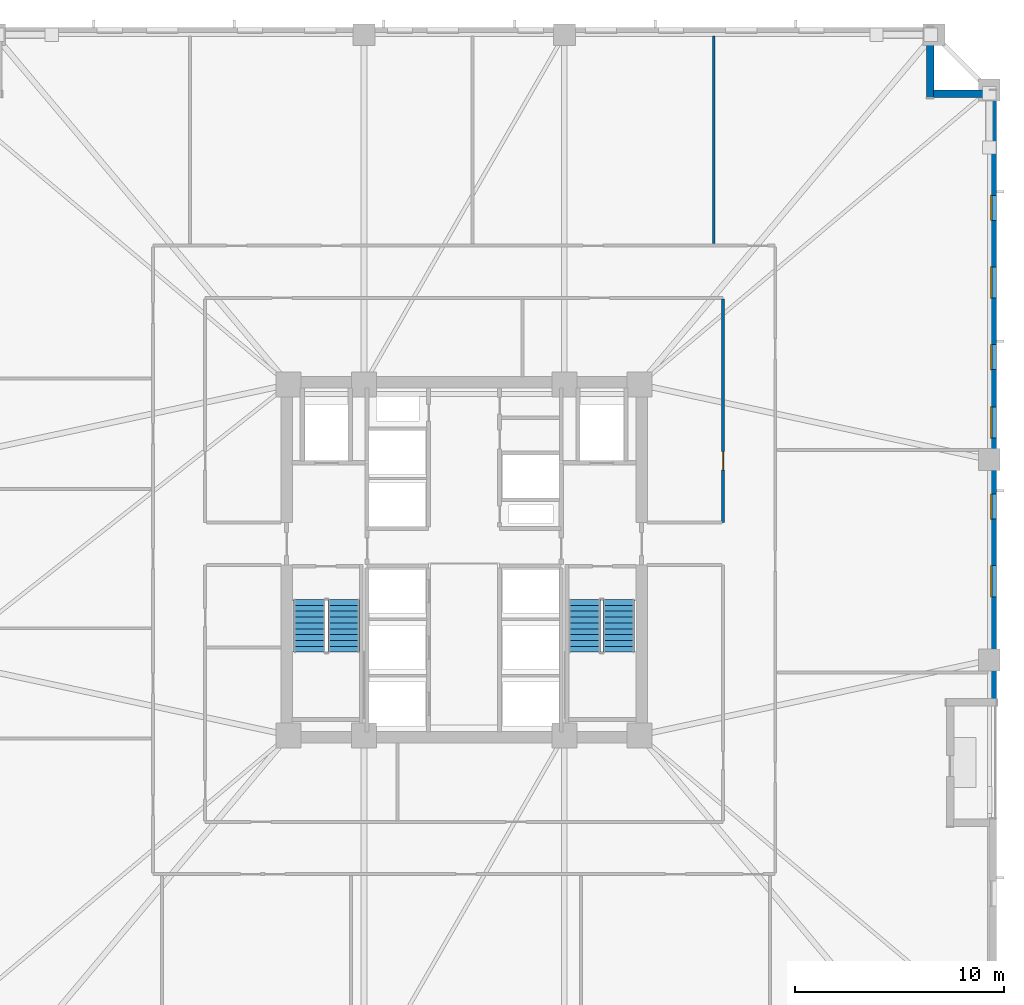
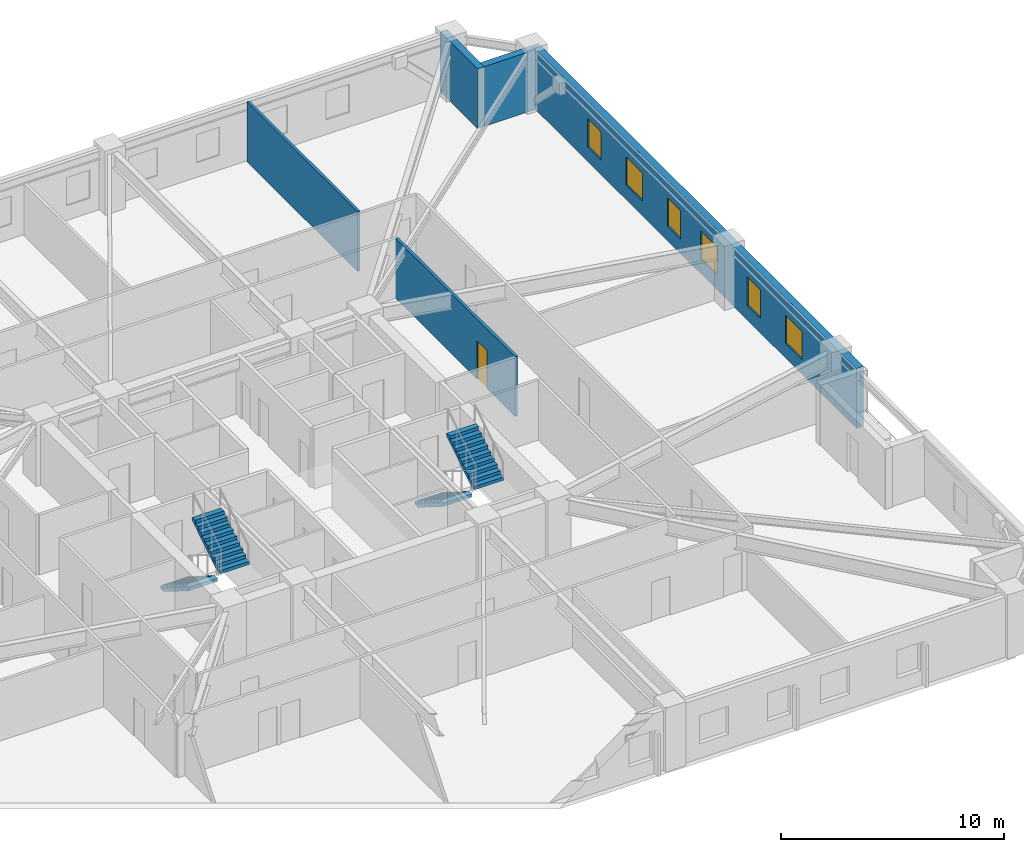
# One storey, part 6 of 11: 6 windows, 5 walls, 4 stair flights, 1 door, 7 openings, 2 elements without a shape of their own.
"""IFC4 building model written with IfcOpenShell, lengths in metres."""

from ifc_helpers import new_model, si_unit, direction, frame, frame_2d, origin, place, context, subcontext, project, spatial, polyline, rectangle, outline, extrude, material, layer, layer_set, type_object, element, fill, aggregate, save


model = new_model("IFC4")

# Units and contexts
model_context = context("Model", 3, precision=1e-05, world=origin(), true_north=direction((0.0, 1.0)))
body_context = subcontext(model_context, "Body", "Model", "MODEL_VIEW")
ifc_project = project(units=[si_unit("LENGTHUNIT", "METRE"), si_unit("AREAUNIT", "SQUARE_METRE"), si_unit("VOLUMEUNIT", "CUBIC_METRE"), si_unit("PLANEANGLEUNIT", "RADIAN"), si_unit("MASSUNIT", "GRAM", prefix="KILO")], contexts=[model_context])

# Site, building, storey
site_placement = place(None, origin())
site = spatial("IfcSite", under=ifc_project, at=site_placement, CompositionType="ELEMENT")
building_placement = place(site_placement, origin())
building = spatial("IfcBuilding", under=site, at=building_placement, Name="Cairnveth Concourse Tower", CompositionType="ELEMENT")
storey_placement = place(building_placement, frame((0.0, 0.0, 55.0)))
storey = spatial("IfcBuildingStorey", under=building, at=storey_placement, Name="L14", CompositionType="ELEMENT", Elevation=55.0)

# Wall, opening, door
ifc_material_1 = material(Name="Gypsum Plasterboard Partition", Category="gypsum")
ifc_layer_1 = layer(ifc_material_1, 0.139892578125)
ifc_layer_set_1 = layer_set([ifc_layer_1], Name="Gypsum Plasterboard Partition")
wall_type_1 = type_object("IfcWallType", Name="GYPSUM STUD PARTITION 140", PredefinedType="PARTITIONING", material=ifc_layer_set_1)
wall_1_placement = place(storey_placement, frame((64.39990234375, 40.800048828125, 0.0), z_axis=(0.0, 0.0, 1.0), x_axis=(0.0, 1.0, 0.0)))
wall_1 = element("IfcWall", 1, at=wall_1_placement, inside=storey, type_object=wall_type_1, Name="Interior Wall IW-L14-049", PredefinedType="PARTITIONING", context=body_context, shape_type="SweptSolid", body=[
    extrude(rectangle(XDim=10.695068359375, YDim=0.139892578125, at=frame_2d((5.34765625, 0.0))), origin(), (0.0, 0.0, 1.0), 3.280029296875),
])
opening_1_placement = place(wall_1_placement, frame((2.5, 0.0, 0.0)))
opening_1 = element("IfcOpeningElement", 2, at=opening_1_placement, cuts=wall_1, Name="Opening ID18", PredefinedType="OPENING", context=body_context, shape_type="SweptSolid", body=[
    extrude(rectangle(XDim=0.8798828125, YDim=2.10009765625, at=frame_2d((0.43994140625, 1.050048828125))), frame((0.0, 0.079833984375, 0.0), z_axis=(0.0, -1.0, 0.0), x_axis=(1.0, 0.0, 0.0)), (0.0, 0.0, 1.0), 0.159912109375),
])
ifc_material_2 = material(Name="Solid Core Hardwood Timber Leaf", Category="wood")
door_type = type_object("IfcDoorType", Name="INTERIOR SINGLE DOOR 880X2100", OperationType="NOTDEFINED", PredefinedType="DOOR", material=ifc_material_2)
door_placement = place(opening_1_placement, origin())
door = element("IfcDoor", 3, at=door_placement, inside=storey, type_object=door_type, Name="Interior Door DR-L14-022", OperationType="SINGLE_SWING_RIGHT", OverallHeight=2.10009765625, OverallWidth=0.8798828125, PredefinedType="DOOR", context=body_context, shape_type="SweptSolid", body=[
    extrude(rectangle(XDim=0.8798828125, YDim=2.10009765625, at=frame_2d((0.43994140625, 1.050048828125))), frame((0.0, 0.02490234375, 0.0), z_axis=(0.0, -1.0, 0.0), x_axis=(1.0, 0.0, 0.0)), (0.0, 0.0, 1.0), 0.050048828125),
])
fill(opening_1, door)

# Walls
wall_2_placement = place(storey_placement, frame((63.955078125, 54.14990234375, 0.0), z_axis=(0.0, 0.0, 1.0), x_axis=(0.0, 1.0, 0.0)))
element("IfcWall", 4, at=wall_2_placement, inside=storey, type_object=wall_type_1, Name="Interior Wall IW-L14-061", PredefinedType="PARTITIONING", context=body_context, shape_type="SweptSolid", body=[
    extrude(rectangle(XDim=9.93017578125, YDim=0.139892578125, at=frame_2d((4.965087890625, 0.0))), origin(), (0.0, 0.0, 1.0), 3.280029296875),
])
ifc_material_3 = material(Name="Hawthorn Red-Ochre Fired Clay Brick Masonry", Category="masonry")
ifc_layer_2 = layer(ifc_material_3, 0.360107421875)
ifc_layer_set_2 = layer_set([ifc_layer_2], Name="Hawthorn Red-Ochre Fired Clay Brick Masonry")
wall_type_2 = type_object("IfcWallType", Name="ZONE 1 BRICK PIER SPANDREL WALL 360", PredefinedType="SOLIDWALL", material=ifc_layer_set_2)
wall_3_placement = place(storey_placement, frame((74.320068359375, 64.5, 0.0), z_axis=(0.0, 0.0, 1.0), x_axis=(0.0, -1.0, 0.0)))
element("IfcWall", 5, at=wall_3_placement, inside=storey, type_object=wall_type_2, Name="Exterior Wall EW-L14-S10", PredefinedType="SOLIDWALL", context=body_context, shape_type="SweptSolid", body=[
    extrude(rectangle(XDim=3.360107421875, YDim=0.360107421875, at=frame_2d((1.68017578125, 0.0))), origin(), (0.0, 0.0, 1.0), 3.280029296875),
])
wall_4_placement = place(storey_placement, frame((74.47802734375, 61.320068359375, 0.0), z_axis=(0.0, 0.0, 1.0), x_axis=(1.0, 0.0, 0.0)))
element("IfcWall", 6, at=wall_4_placement, inside=storey, type_object=wall_type_2, Name="Exterior Wall EW-L14-S11", PredefinedType="SOLIDWALL", context=body_context, shape_type="SweptSolid", body=[
    extrude(rectangle(XDim=2.68408203125, YDim=0.360107421875, at=frame_2d((1.342041015625, 0.0))), origin(), (0.0, 0.0, 1.0), 3.280029296875),
])

# Wall, openings, windows
wall_5_placement = place(storey_placement, frame((77.320068359375, 61.5, 0.0), z_axis=(0.0, 0.0, 1.0), x_axis=(0.0, -1.0, 0.0)))
wall_5 = element("IfcWall", 7, at=wall_5_placement, inside=storey, type_object=wall_type_2, Name="Exterior Wall EW-L14-S12", PredefinedType="SOLIDWALL", context=body_context, shape_type="SweptSolid", body=[
    extrude(rectangle(XDim=29.162109375, YDim=0.360107421875, at=frame_2d((14.5810546875, 0.0))), origin(), (0.0, 0.0, 1.0), 3.280029296875),
])
opening_2_placement = place(wall_5_placement, frame((5.03857421875, 0.0, 0.800048828125)))
opening_2 = element("IfcOpeningElement", 8, at=opening_2_placement, cuts=wall_5, Name="Opening W01", PredefinedType="OPENING", context=body_context, shape_type="SweptSolid", body=[
    extrude(rectangle(XDim=1.199951171875, YDim=1.5439453125, at=frame_2d((0.60009765625, 0.77197265625))), frame((0.0, 0.18994140625, 0.0), z_axis=(0.0, -1.0, 0.0), x_axis=(1.0, 0.0, 0.0)), (0.0, 0.0, 1.0), 0.380126953125),
])
opening_3_placement = place(wall_5_placement, frame((8.465576171875, 0.0, 0.800048828125)))
opening_3 = element("IfcOpeningElement", 9, at=opening_3_placement, cuts=wall_5, Name="Opening W03", PredefinedType="OPENING", context=body_context, shape_type="SweptSolid", body=[
    extrude(rectangle(XDim=1.5, YDim=1.5439453125, at=frame_2d((0.75, 0.77197265625))), frame((0.0, 0.18994140625, 0.0), z_axis=(0.0, -1.0, 0.0), x_axis=(1.0, 0.0, 0.0)), (0.0, 0.0, 1.0), 0.380126953125),
])
opening_4_placement = place(wall_5_placement, frame((12.1923828125, 0.0, 0.800048828125)))
opening_4 = element("IfcOpeningElement", 10, at=opening_4_placement, cuts=wall_5, Name="Opening W01", PredefinedType="OPENING", context=body_context, shape_type="SweptSolid", body=[
    extrude(rectangle(XDim=1.199951171875, YDim=1.5439453125, at=frame_2d((0.60009765625, 0.77197265625))), frame((0.0, 0.18994140625, 0.0), z_axis=(0.0, -1.0, 0.0), x_axis=(1.0, 0.0, 0.0)), (0.0, 0.0, 1.0), 0.380126953125),
])
opening_5_placement = place(wall_5_placement, frame((15.16943359375, 0.0, 0.800048828125)))
opening_5 = element("IfcOpeningElement", 11, at=opening_5_placement, cuts=wall_5, Name="Opening W03", PredefinedType="OPENING", context=body_context, shape_type="SweptSolid", body=[
    extrude(rectangle(XDim=1.5, YDim=1.5439453125, at=frame_2d((0.75, 0.77197265625))), frame((0.0, 0.18994140625, 0.0), z_axis=(0.0, -1.0, 0.0), x_axis=(1.0, 0.0, 0.0)), (0.0, 0.0, 1.0), 0.380126953125),
])
opening_6_placement = place(wall_5_placement, frame((19.346435546875, 0.0, 0.800048828125)))
opening_6 = element("IfcOpeningElement", 12, at=opening_6_placement, cuts=wall_5, Name="Opening W01", PredefinedType="OPENING", context=body_context, shape_type="SweptSolid", body=[
    extrude(rectangle(XDim=1.199951171875, YDim=1.5439453125, at=frame_2d((0.60009765625, 0.77197265625))), frame((0.0, 0.18994140625, 0.0), z_axis=(0.0, -1.0, 0.0), x_axis=(1.0, 0.0, 0.0)), (0.0, 0.0, 1.0), 0.380126953125),
])
opening_7_placement = place(wall_5_placement, frame((22.7734375, 0.0, 0.800048828125)))
opening_7 = element("IfcOpeningElement", 13, at=opening_7_placement, cuts=wall_5, Name="Opening W03", PredefinedType="OPENING", context=body_context, shape_type="SweptSolid", body=[
    extrude(rectangle(XDim=1.5, YDim=1.5439453125, at=frame_2d((0.75, 0.77197265625))), frame((0.0, 0.18994140625, 0.0), z_axis=(0.0, -1.0, 0.0), x_axis=(1.0, 0.0, 0.0)), (0.0, 0.0, 1.0), 0.380126953125),
])
ifc_material_4 = material(Name="Double Glazed Low-E Clear Glass", Category="glass")
window_type_1 = type_object("IfcWindowType", Name="DEEP-SET GOTHIC LANCET WINDOW 1200X1800", PartitioningType="DOUBLE_PANEL_VERTICAL", PredefinedType="WINDOW", material=ifc_material_4)
window_1_placement = place(opening_2_placement, origin())
window_1 = element("IfcWindow", 14, at=window_1_placement, inside=storey, type_object=window_type_1, Name="Gothic Lancet Window L14-12-1", OverallHeight=1.5439453125, OverallWidth=1.199951171875, PartitioningType="SINGLE_PANEL", PredefinedType="WINDOW", context=body_context, shape_type="SweptSolid", body=[
    extrude(rectangle(XDim=1.199951171875, YDim=1.5439453125, at=frame_2d((0.60009765625, 0.77197265625))), frame((0.0, -0.050048828125, 0.0), z_axis=(0.0, -1.0, 0.0), x_axis=(1.0, 0.0, 0.0)), (0.0, 0.0, 1.0), 0.06005859375),
])
fill(opening_2, window_1)
window_2_placement = place(opening_4_placement, origin())
window_2 = element("IfcWindow", 15, at=window_2_placement, inside=storey, type_object=window_type_1, Name="Gothic Lancet Window L14-12-3", OverallHeight=1.5439453125, OverallWidth=1.199951171875, PartitioningType="SINGLE_PANEL", PredefinedType="WINDOW", context=body_context, shape_type="SweptSolid", body=[
    extrude(rectangle(XDim=1.199951171875, YDim=1.5439453125, at=frame_2d((0.60009765625, 0.77197265625))), frame((0.0, -0.050048828125, 0.0), z_axis=(0.0, -1.0, 0.0), x_axis=(1.0, 0.0, 0.0)), (0.0, 0.0, 1.0), 0.06005859375),
])
fill(opening_4, window_2)
window_3_placement = place(opening_6_placement, origin())
window_3 = element("IfcWindow", 16, at=window_3_placement, inside=storey, type_object=window_type_1, Name="Gothic Lancet Window L14-12-5", OverallHeight=1.5439453125, OverallWidth=1.199951171875, PartitioningType="SINGLE_PANEL", PredefinedType="WINDOW", context=body_context, shape_type="SweptSolid", body=[
    extrude(rectangle(XDim=1.199951171875, YDim=1.5439453125, at=frame_2d((0.60009765625, 0.77197265625))), frame((0.0, -0.050048828125, 0.0), z_axis=(0.0, -1.0, 0.0), x_axis=(1.0, 0.0, 0.0)), (0.0, 0.0, 1.0), 0.06005859375),
])
fill(opening_6, window_3)
window_type_2 = type_object("IfcWindowType", Name="DEEP-SET GOTHIC LANCET WINDOW 1500X1800", PartitioningType="DOUBLE_PANEL_VERTICAL", PredefinedType="WINDOW", material=ifc_material_4)
window_4_placement = place(opening_3_placement, origin())
window_4 = element("IfcWindow", 17, at=window_4_placement, inside=storey, type_object=window_type_2, Name="Gothic Lancet Window L14-12-2", OverallHeight=1.5439453125, OverallWidth=1.5, PartitioningType="SINGLE_PANEL", PredefinedType="WINDOW", context=body_context, shape_type="SweptSolid", body=[
    extrude(rectangle(XDim=1.5, YDim=1.5439453125, at=frame_2d((0.75, 0.77197265625))), frame((0.0, -0.050048828125, 0.0), z_axis=(0.0, -1.0, 0.0), x_axis=(1.0, 0.0, 0.0)), (0.0, 0.0, 1.0), 0.06005859375),
])
fill(opening_3, window_4)
window_5_placement = place(opening_5_placement, origin())
window_5 = element("IfcWindow", 18, at=window_5_placement, inside=storey, type_object=window_type_2, Name="Gothic Lancet Window L14-12-4", OverallHeight=1.5439453125, OverallWidth=1.5, PartitioningType="SINGLE_PANEL", PredefinedType="WINDOW", context=body_context, shape_type="SweptSolid", body=[
    extrude(rectangle(XDim=1.5, YDim=1.5439453125, at=frame_2d((0.75, 0.77197265625))), frame((0.0, -0.050048828125, 0.0), z_axis=(0.0, -1.0, 0.0), x_axis=(1.0, 0.0, 0.0)), (0.0, 0.0, 1.0), 0.06005859375),
])
fill(opening_5, window_5)
window_6_placement = place(opening_7_placement, origin())
window_6 = element("IfcWindow", 19, at=window_6_placement, inside=storey, type_object=window_type_2, Name="Gothic Lancet Window L14-12-6", OverallHeight=1.5439453125, OverallWidth=1.5, PartitioningType="SINGLE_PANEL", PredefinedType="WINDOW", context=body_context, shape_type="SweptSolid", body=[
    extrude(rectangle(XDim=1.5, YDim=1.5439453125, at=frame_2d((0.75, 0.77197265625))), frame((0.0, -0.050048828125, 0.0), z_axis=(0.0, -1.0, 0.0), x_axis=(1.0, 0.0, 0.0)), (0.0, 0.0, 1.0), 0.06005859375),
])
fill(opening_7, window_6)

# Stair, stair flights
ifc_material_5 = material(Name="Precast concrete N50 (50 MPa)", Category="concrete")
stair_type = type_object("IfcStairType", Name="CORE DOG-LEG FIRE STAIR 1500", PredefinedType="HALF_TURN_STAIR", material=ifc_material_5)
stair_1_placement = place(storey_placement, origin())
stair_1 = element("IfcStair", 20, at=stair_1_placement, inside=storey, type_object=stair_type, Name="L14 Fire-Isolated Stair ST-1", PredefinedType="HALF_TURN_STAIR")
stair_flight_type = type_object("IfcStairFlightType", Name="PRECAST CONCRETE STAIR FLIGHT 1500", PredefinedType="STRAIGHT", material=ifc_material_5)
stair_flight_1_placement = place(storey_placement, frame((44.590087890625, 37.10009765625, 0.0), z_axis=(0.0, 0.0, 1.0), x_axis=(0.0, -1.0, 0.0)))
stair_flight_1 = element("IfcStairFlight", 21, at=stair_flight_1_placement, type_object=stair_flight_type, Name="ST-1 flight 1", NumberOfRisers=10, NumberOfTreads=9, PredefinedType="STRAIGHT", RiserHeight=0.175, TreadLength=0.28, context=body_context, shape_type="SweptSolid", body=[
    extrude(outline(polyline([(0.0, 0.0), (0.0, 0.175048828125), (0.280029296875, 0.175048828125), (0.280029296875, 0.35009765625), (0.56005859375, 0.35009765625), (0.56005859375, 0.52490234375), (0.840087890625, 0.52490234375), (0.840087890625, 0.699951171875), (1.1201171875, 0.699951171875), (1.1201171875, 0.875), (1.39990234375, 0.875), (1.39990234375, 1.050048828125), (1.679931640625, 1.050048828125), (1.679931640625, 1.22509765625), (1.9599609375, 1.22509765625), (1.9599609375, 1.39990234375), (2.239990234375, 1.39990234375), (2.239990234375, 1.574951171875), (2.52001953125, 1.574951171875), (2.52001953125, 1.75), (2.52001953125, 1.398193359375), (0.28271484375, 0.0), (0.0, 0.0)])), frame((0.0, 0.75, 0.0), z_axis=(0.0, -1.0, 0.0), x_axis=(1.0, 0.0, 0.0)), (0.0, 0.0, 1.0), 1.5),
])
stair_flight_2_placement = place(storey_placement, frame((46.22998046875, 34.580078125, 1.75), z_axis=(0.0, 0.0, 1.0), x_axis=(0.0, 1.0, 0.0)))
stair_flight_2 = element("IfcStairFlight", 22, at=stair_flight_2_placement, type_object=stair_flight_type, Name="ST-1 flight 2", NumberOfRisers=10, NumberOfTreads=9, PredefinedType="STRAIGHT", RiserHeight=0.175, TreadLength=0.28, context=body_context, shape_type="SweptSolid", body=[
    extrude(outline(polyline([(0.0, 0.0), (0.0, 0.175048828125), (0.280029296875, 0.175048828125), (0.280029296875, 0.35009765625), (0.56005859375, 0.35009765625), (0.56005859375, 0.52490234375), (0.840087890625, 0.52490234375), (0.840087890625, 0.699951171875), (1.1201171875, 0.699951171875), (1.1201171875, 0.875), (1.39990234375, 0.875), (1.39990234375, 1.050048828125), (1.679931640625, 1.050048828125), (1.679931640625, 1.22509765625), (1.9599609375, 1.22509765625), (1.9599609375, 1.39990234375), (2.239990234375, 1.39990234375), (2.239990234375, 1.574951171875), (2.52001953125, 1.574951171875), (2.52001953125, 1.75), (2.52001953125, 1.398193359375), (0.28271484375, 0.0), (0.0, 0.0)])), frame((0.0, 0.75, 0.0), z_axis=(0.0, -1.0, 0.0), x_axis=(1.0, 0.0, 0.0)), (0.0, 0.0, 1.0), 1.5),
])
aggregate(stair_1, [stair_flight_1, stair_flight_2])

stair_2_placement = place(storey_placement, origin())
stair_2 = element("IfcStair", 23, at=stair_2_placement, inside=storey, type_object=stair_type, Name="L14 Fire-Isolated Stair ST-2", PredefinedType="HALF_TURN_STAIR")
stair_flight_3_placement = place(storey_placement, frame((57.77001953125, 37.10009765625, 0.0), z_axis=(0.0, 0.0, 1.0), x_axis=(0.0, -1.0, 0.0)))
stair_flight_3 = element("IfcStairFlight", 24, at=stair_flight_3_placement, type_object=stair_flight_type, Name="ST-2 flight 1", NumberOfRisers=10, NumberOfTreads=9, PredefinedType="STRAIGHT", RiserHeight=0.175, TreadLength=0.28, context=body_context, shape_type="SweptSolid", body=[
    extrude(outline(polyline([(0.0, 0.0), (0.0, 0.175048828125), (0.280029296875, 0.175048828125), (0.280029296875, 0.35009765625), (0.56005859375, 0.35009765625), (0.56005859375, 0.52490234375), (0.840087890625, 0.52490234375), (0.840087890625, 0.699951171875), (1.1201171875, 0.699951171875), (1.1201171875, 0.875), (1.39990234375, 0.875), (1.39990234375, 1.050048828125), (1.679931640625, 1.050048828125), (1.679931640625, 1.22509765625), (1.9599609375, 1.22509765625), (1.9599609375, 1.39990234375), (2.239990234375, 1.39990234375), (2.239990234375, 1.574951171875), (2.52001953125, 1.574951171875), (2.52001953125, 1.75), (2.52001953125, 1.398193359375), (0.28271484375, 0.0), (0.0, 0.0)])), frame((0.0, 0.75, 0.0), z_axis=(0.0, -1.0, 0.0), x_axis=(1.0, 0.0, 0.0)), (0.0, 0.0, 1.0), 1.5),
])
stair_flight_4_placement = place(storey_placement, frame((59.409912109375, 34.580078125, 1.75), z_axis=(0.0, 0.0, 1.0), x_axis=(0.0, 1.0, 0.0)))
stair_flight_4 = element("IfcStairFlight", 25, at=stair_flight_4_placement, type_object=stair_flight_type, Name="ST-2 flight 2", NumberOfRisers=10, NumberOfTreads=9, PredefinedType="STRAIGHT", RiserHeight=0.175, TreadLength=0.28, context=body_context, shape_type="SweptSolid", body=[
    extrude(outline(polyline([(0.0, 0.0), (0.0, 0.175048828125), (0.280029296875, 0.175048828125), (0.280029296875, 0.35009765625), (0.56005859375, 0.35009765625), (0.56005859375, 0.52490234375), (0.840087890625, 0.52490234375), (0.840087890625, 0.699951171875), (1.1201171875, 0.699951171875), (1.1201171875, 0.875), (1.39990234375, 0.875), (1.39990234375, 1.050048828125), (1.679931640625, 1.050048828125), (1.679931640625, 1.22509765625), (1.9599609375, 1.22509765625), (1.9599609375, 1.39990234375), (2.239990234375, 1.39990234375), (2.239990234375, 1.574951171875), (2.52001953125, 1.574951171875), (2.52001953125, 1.75), (2.52001953125, 1.398193359375), (0.28271484375, 0.0), (0.0, 0.0)])), frame((0.0, 0.75, 0.0), z_axis=(0.0, -1.0, 0.0), x_axis=(1.0, 0.0, 0.0)), (0.0, 0.0, 1.0), 1.5),
])
aggregate(stair_2, [stair_flight_3, stair_flight_4])

save(model, "model.ifc")
